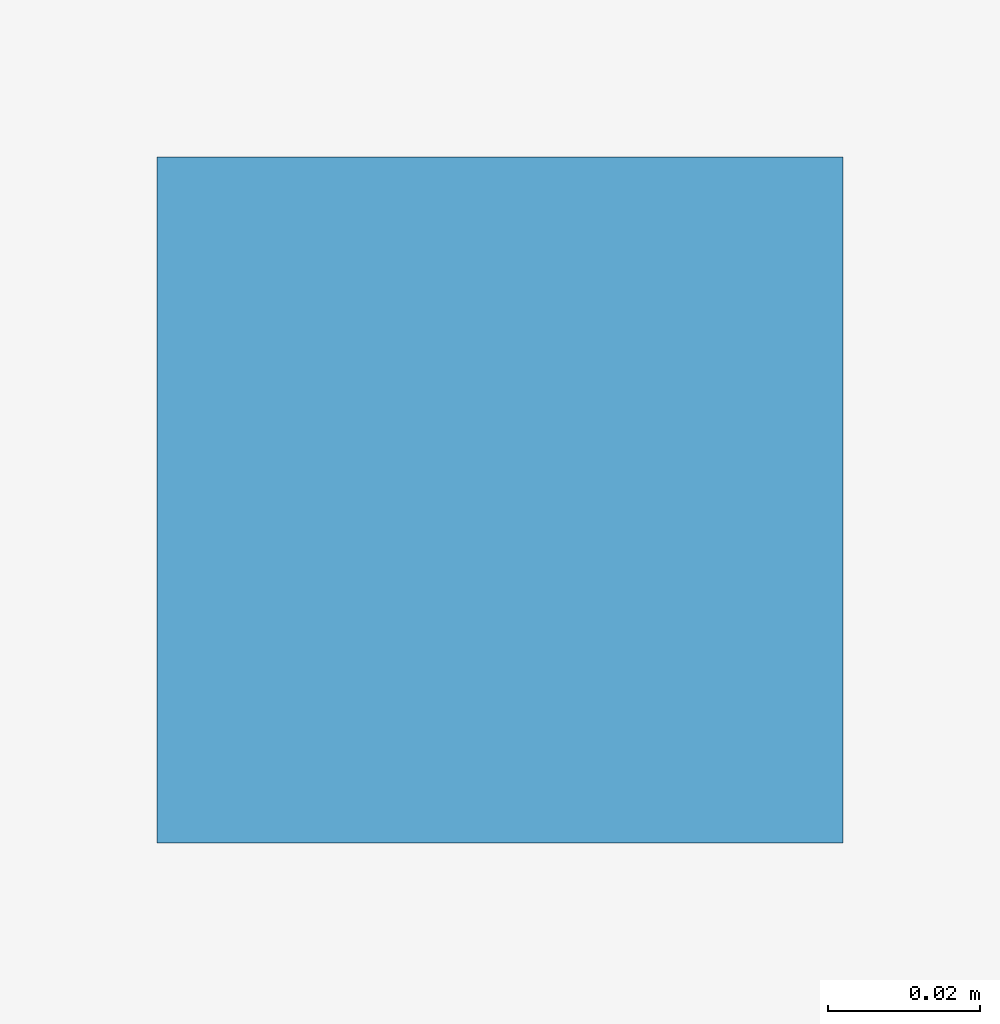
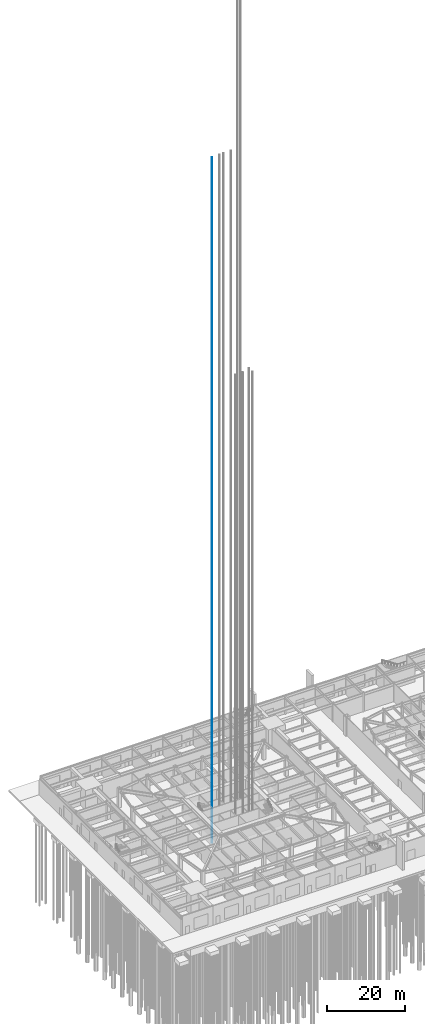
# One storey, part 27 of 37: 1 discrete accessory.
"""IFC4 building model written with IfcOpenShell, lengths in metres."""

import ifcopenshell
import ifcopenshell.guid

model = None  # the IFC model being written
_history = None  # IfcOwnerHistory: only IFC2X3 demands one
_inside = {}  # id of a spatial element -> (the spatial element, [elements in it])
_under = {}  # id of a project, library or spatial element -> (it, [spatial elements below it])
_declared = {}  # id of a project -> (the project, [libraries it declares])
_typed = {}  # id of a type object -> (the type object, [elements of that type])
_made_of = {}  # id of a material, layer set ... -> (it, [elements and type objects made of it])


def new_model(schema):
    """Start an empty IFC model of exactly this schema.

    Asked for "IFC4X3", IfcOpenShell would pick the latest addendum, in which some entities
    have other attributes; the version numbers below select the first issue.
    IFC2X3 requires an IfcOwnerHistory on every rooted entity: one is made here for all.
    """
    global model, _history
    if schema == "IFC4X3":
        model = ifcopenshell.file(schema_version=(4, 3, 0, 0))
    else:
        model = ifcopenshell.file(schema=schema)
    _inside.clear()
    _under.clear()
    _declared.clear()
    _typed.clear()
    _made_of.clear()
    _history = None
    if model.schema == "IFC2X3":
        org = make("IfcOrganization", Name="unknown")
        user = make(
            "IfcPersonAndOrganization",
            ThePerson=make("IfcPerson", FamilyName="unknown"),
            TheOrganization=org,
        )
        app = make(
            "IfcApplication",
            ApplicationDeveloper=org,
            Version="unknown",
            ApplicationFullName="unknown",
            ApplicationIdentifier="unknown",
        )
        _history = make(
            "IfcOwnerHistory",
            OwningUser=user,
            OwningApplication=app,
            ChangeAction="ADDED",
            CreationDate=0,
        )
    return model


def make(cls, **values):
    """One entity of the class cls with the attributes given. An attribute that is None is left unset."""
    return model.create_entity(
        cls, **{name: value for name, value in values.items() if value is not None}
    )


def rooted(cls, **values):
    """An entity with a GlobalId (a new one), such as an element, a storey or a relation."""
    return make(cls, GlobalId=ifcopenshell.guid.new(), OwnerHistory=_history, **values)


def si_unit(unit_type, name, prefix=None):
    """IfcSIUnit, for example si_unit("LENGTHUNIT", "METRE", prefix="MILLI")."""
    return make("IfcSIUnit", UnitType=unit_type, Prefix=prefix, Name=name)


def assignment(units):
    """IfcUnitAssignment: the units of a project."""
    return None if units is None else make("IfcUnitAssignment", Units=units)


def point(xyz):
    """IfcCartesianPoint."""
    return None if xyz is None else make("IfcCartesianPoint", Coordinates=xyz)


def direction(xyz):
    """IfcDirection."""
    return None if xyz is None else make("IfcDirection", DirectionRatios=xyz)


def frame(location, z_axis=None, x_axis=None):
    """IfcAxis2Placement3D, a coordinate frame: its origin and axes. An axis left out is left unset."""
    return make(
        "IfcAxis2Placement3D",
        Location=point(location),
        Axis=direction(z_axis),
        RefDirection=direction(x_axis),
    )


def frame_2d(location, x_axis=None):
    """IfcAxis2Placement2D, a coordinate frame in the plane: its origin and x axis."""
    return make(
        "IfcAxis2Placement2D", Location=point(location), RefDirection=direction(x_axis)
    )


def origin():
    """The frame at (0, 0, 0) with its axes left unset."""
    return frame((0.0, 0.0, 0.0))


def origin_2d():
    """The frame at (0, 0) in the plane with its x axis left unset."""
    return frame_2d((0.0, 0.0))


def place(relative_to, where):
    """IfcLocalPlacement: puts the frame where relative to a parent placement (None: the world)."""
    return make(
        "IfcLocalPlacement", PlacementRelTo=relative_to, RelativePlacement=where
    )


def context(
    kind, dimensions, precision=None, world=None, true_north=None, identifier=None
):
    """IfcGeometricRepresentationContext, for example the 3D "Model" context."""
    return make(
        "IfcGeometricRepresentationContext",
        ContextIdentifier=identifier,
        ContextType=kind,
        CoordinateSpaceDimension=dimensions,
        Precision=precision,
        WorldCoordinateSystem=world,
        TrueNorth=true_north,
    )


def subcontext(parent, identifier, kind, view, scale=None):
    """IfcGeometricRepresentationSubContext, for example "Body" below "Model"."""
    return make(
        "IfcGeometricRepresentationSubContext",
        ContextIdentifier=identifier,
        ContextType=kind,
        ParentContext=parent,
        TargetScale=scale,
        TargetView=view,
    )


def project(units=None, contexts=None):
    """IfcProject with its units and contexts."""
    return rooted(
        "IfcProject",
        Name="project",
        RepresentationContexts=contexts,
        UnitsInContext=assignment(units),
    )


def spatial(cls, under=None, at=None, **own):
    """A site, building, storey or space (cls), placed at a placement, below another one or the project."""
    s = rooted(cls, ObjectPlacement=at, **own)
    if under is not None:
        _under.setdefault(under.id(), (under, []))[1].append(s)
    return s


def profile(cls, at=None, kind="AREA", **sizes):
    """A parametric profile (cls). Its sizes go by their IFC names, for example OverallWidth=200.0."""
    return make(cls, ProfileType=kind, Position=at, **sizes)


def rectangle(**sizes):
    """IfcRectangleProfileDef."""
    return profile("IfcRectangleProfileDef", **sizes)


def extrude(swept, where, along, depth):
    """IfcExtrudedAreaSolid: the profile swept, set in the frame where, extruded along a direction by depth."""
    return make(
        "IfcExtrudedAreaSolid",
        SweptArea=swept,
        Position=where,
        ExtrudedDirection=direction(along),
        Depth=depth,
    )


def shape(context_of_items, identifier, shape_type, items):
    """IfcShapeRepresentation: the items that make up one representation, for example the "Body"."""
    return make(
        "IfcShapeRepresentation",
        ContextOfItems=context_of_items,
        RepresentationIdentifier=identifier,
        RepresentationType=shape_type,
        Items=items,
    )


def material(Name=None, Category=None):
    """IfcMaterial."""
    return make("IfcMaterial", Name=Name, Category=Category)


def made_of(thing, what):
    """Note that an element or type object is made of a material, layer set ...; save() writes the relation."""
    if what is not None:
        _made_of.setdefault(what.id(), (what, []))[1].append(thing)
    return thing


def element(
    cls,
    number,
    at=None,
    inside=None,
    cuts=None,
    type_object=None,
    material=None,
    context=None,
    identifier="Body",
    shape_type=None,
    held_by="IfcProductDefinitionShape",
    body=None,
    shapes=None,
    **own,
):
    """One element of the class cls, such as IfcWall. Its Tag is "e" and its number.

    at: its placement. inside: the storey or other place that contains it. cuts: it is an
    opening in that element (IfcRelVoidsElement). A single representation is given by context,
    identifier, shape_type and body (its items); several are given by shapes. held_by: the class
    of the entity that holds the representations. save() writes the other relations.
    """
    e = rooted(cls, Tag="e%d" % number, ObjectPlacement=at, **own)
    if body is not None:
        shapes = [shape(context, identifier, shape_type, body)]
    if shapes is not None:
        e.Representation = make(held_by, Representations=shapes)
    if inside is not None:
        _inside.setdefault(inside.id(), (inside, []))[1].append(e)
    if cuts is not None:
        rooted(
            "IfcRelVoidsElement", RelatingBuildingElement=cuts, RelatedOpeningElement=e
        )
    if type_object is not None:
        _typed.setdefault(type_object.id(), (type_object, []))[1].append(e)
    return made_of(e, material)


def aggregate(whole, parts):
    """IfcRelAggregates: a whole, such as a stair, and the parts it consists of."""
    return rooted("IfcRelAggregates", RelatingObject=whole, RelatedObjects=parts)


def save(model, path):
    """Write the relations noted so far, then the file.

    IfcRelAggregates (storeys below a building ...), IfcRelContainedInSpatialStructure (elements
    in a storey), IfcRelDefinesByType, IfcRelAssociatesMaterial and IfcRelDeclares: one each for
    every whole, place, type object, material and project.
    """
    for whole, parts in _under.values():
        aggregate(whole, parts)
    for where, things in _inside.values():
        rooted(
            "IfcRelContainedInSpatialStructure",
            RelatedElements=things,
            RelatingStructure=where,
        )
    for kind, things in _typed.values():
        rooted("IfcRelDefinesByType", RelatedObjects=things, RelatingType=kind)
    for what, things in _made_of.values():
        rooted("IfcRelAssociatesMaterial", RelatedObjects=things, RelatingMaterial=what)
    for by, libraries in _declared.values():
        rooted("IfcRelDeclares", RelatingContext=by, RelatedDefinitions=libraries)
    model.write(path)


model = new_model("IFC4")

# Units and contexts
model_context = context("Model", 3, precision=1e-05, world=origin(), true_north=direction((0.0, 1.0)))
body_context = subcontext(model_context, "Body", "Model", "MODEL_VIEW")
ifc_project = project(units=[si_unit("LENGTHUNIT", "METRE"), si_unit("AREAUNIT", "SQUARE_METRE"), si_unit("VOLUMEUNIT", "CUBIC_METRE"), si_unit("PLANEANGLEUNIT", "RADIAN"), si_unit("MASSUNIT", "GRAM", prefix="KILO")], contexts=[model_context])

# Site, building, storey
site_placement = place(None, origin())
site = spatial("IfcSite", under=ifc_project, at=site_placement, CompositionType="ELEMENT")
building_placement = place(site_placement, origin())
building = spatial("IfcBuilding", under=site, at=building_placement, Name="Iwan Alto Co-Living Towers", CompositionType="ELEMENT")
storey_placement = place(building_placement, origin())
storey = spatial("IfcBuildingStorey", under=building, at=storey_placement, Name="L00", CompositionType="ELEMENT", Elevation=0.0)

# Discrete accessory
ifc_material = material(Name="Steel ASTM A36", Category="steel")
placement = place(storey_placement, frame((-3.43359375, 3.0, 0.0), z_axis=(0.0, 0.0, 1.0), x_axis=(1.0, 0.0, 0.0)))
discrete_accessory_placement = place(placement, origin())
element("IfcDiscreteAccessory", 1, at=discrete_accessory_placement, inside=storey, material=ifc_material, Name="Lift P3-1 guide rail 1", ObjectType="Lift guide rail", PredefinedType="USERDEFINED", context=body_context, shape_type="SweptSolid", body=[
    extrude(rectangle(XDim=0.09, YDim=0.09, at=origin_2d()), frame((-1.10009765625, 0.0, -5.89990234375)), (0.0, 0.0, 1.0), 213.800048828125),
])

save(model, "model.ifc")
